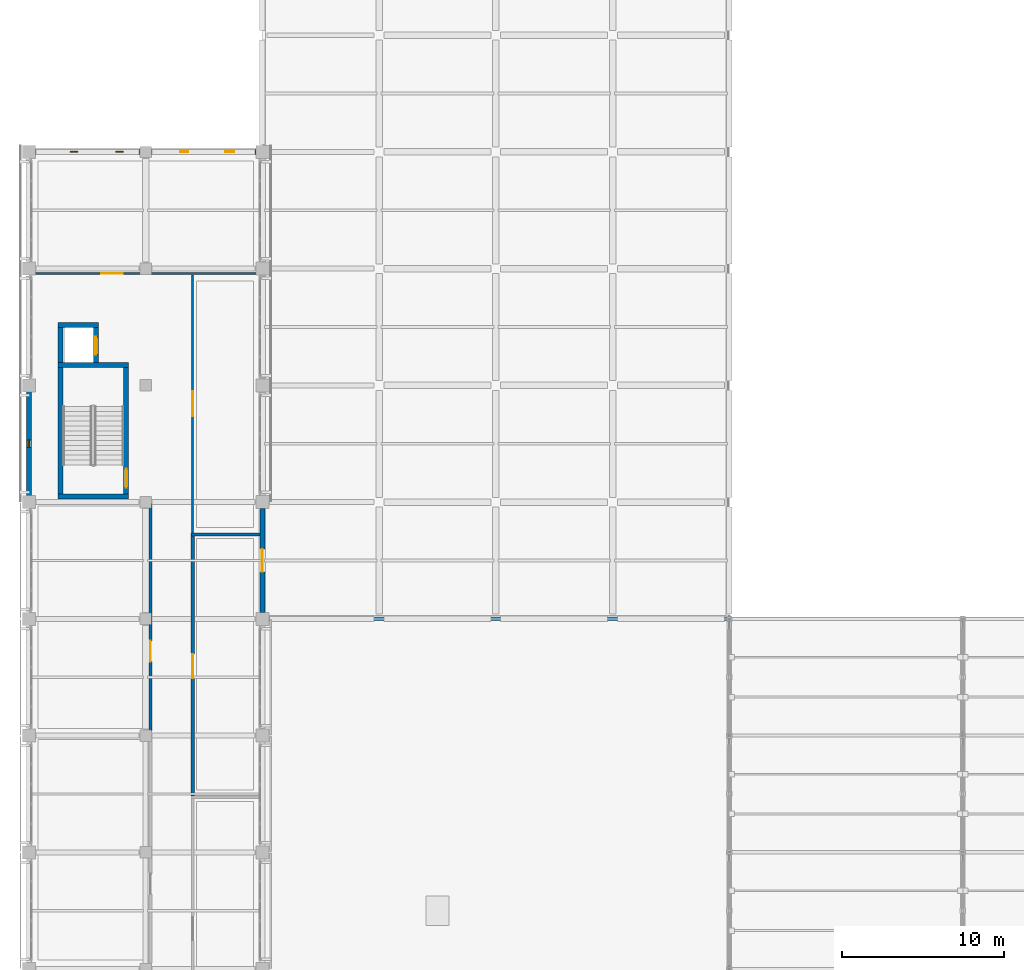
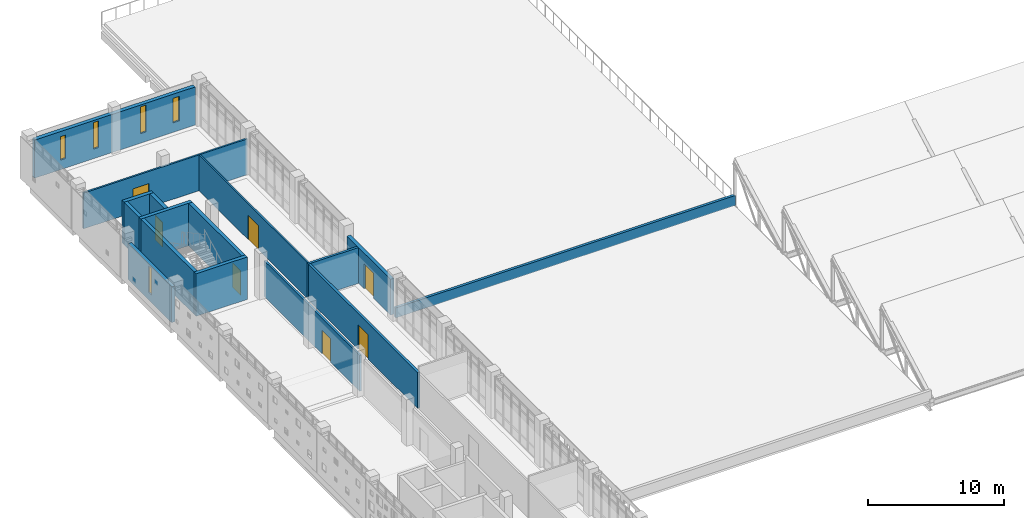
# One storey, part 36 of 51: 16 walls, 7 doors, 5 windows, 12 openings.
"""IFC4 building model written with IfcOpenShell, lengths in metres."""

from ifc_helpers import new_model, si_unit, direction, frame, frame_2d, origin, place, context, subcontext, project, spatial, rectangle, extrude, material, layer, layer_set, type_object, element, fill, save


model = new_model("IFC4")

# Units and contexts
model_context = context("Model", 3, precision=1e-05, world=origin(), true_north=direction((0.0, 1.0)))
body_context = subcontext(model_context, "Body", "Model", "MODEL_VIEW")
ifc_project = project(units=[si_unit("LENGTHUNIT", "METRE"), si_unit("AREAUNIT", "SQUARE_METRE"), si_unit("VOLUMEUNIT", "CUBIC_METRE"), si_unit("PLANEANGLEUNIT", "RADIAN"), si_unit("MASSUNIT", "GRAM", prefix="KILO")], contexts=[model_context])

# Site, building, storey
site_placement = place(None, origin())
site = spatial("IfcSite", under=ifc_project, at=site_placement, CompositionType="ELEMENT")
building_placement = place(site_placement, origin())
building = spatial("IfcBuilding", under=site, at=building_placement, Name="Valkovuoma Quantum and Materials Research Institute", CompositionType="ELEMENT")
storey_placement = place(building_placement, frame((0.0, 0.0, 17.280029296875)))
storey = spatial("IfcBuildingStorey", under=building, at=storey_placement, Name="L04", CompositionType="ELEMENT", Elevation=17.280029296875)

# Walls
ifc_material_1 = material(Name="Concrete C40/50", Category="concrete")
ifc_layer_1 = layer(ifc_material_1, 0.300048828125)
ifc_layer_set_1 = layer_set([ifc_layer_1], Name="Concrete C40/50")
wall_type_1 = type_object("IfcWallType", Name="Wall-W-COR300", PredefinedType="SHEAR", material=ifc_layer_set_1)
for number, where, z_axis, x_axis, name in (
    (1, (1.800048828125, 72.35009765625, 0.0), (0.0, 0.0, 1.0), (1.0, 0.0, 0.0), "L04 core wall 0157"),
    (2, (1.800048828125, 80.449951171875, 0.0), (0.0, 0.0, 1.0), (1.0, 0.0, 0.0), "L04 core wall 0158"),
):
    element("IfcWall", number, at=place(storey_placement, frame(where, z_axis=z_axis, x_axis=x_axis)), inside=storey, type_object=wall_type_1, Name=name, PredefinedType="SHEAR", context=body_context, shape_type="SweptSolid", body=[
        extrude(rectangle(XDim=4.349853515625, YDim=0.300048828125, at=frame_2d((2.1748046875, 0.0))), origin(), (0.0, 0.0, 1.0), 3.81005859375),
    ])
wall_1_placement = place(storey_placement, frame((1.949951171875, 72.5, 0.0), z_axis=(0.0, 0.0, 1.0), x_axis=(0.0, 1.0, 0.0)))
element("IfcWall", 3, at=wall_1_placement, inside=storey, type_object=wall_type_1, Name="L04 core wall 0159", PredefinedType="SHEAR", context=body_context, shape_type="SweptSolid", body=[
    extrude(rectangle(XDim=7.800048828125, YDim=0.300048828125, at=frame_2d((3.89990234375, 0.0))), origin(), (0.0, 0.0, 1.0), 3.81005859375),
])

# Wall, opening, door
wall_2_placement = place(storey_placement, frame((6.0, 72.5, 0.0), z_axis=(0.0, 0.0, 1.0), x_axis=(0.0, 1.0, 0.0)))
wall_2 = element("IfcWall", 4, at=wall_2_placement, inside=storey, type_object=wall_type_1, Name="L04 core wall 0160", PredefinedType="SHEAR", context=body_context, shape_type="SweptSolid", body=[
    extrude(rectangle(XDim=7.800048828125, YDim=0.300048828125, at=frame_2d((3.89990234375, 0.0))), origin(), (0.0, 0.0, 1.0), 3.81005859375),
])
opening_1_placement = place(wall_2_placement, frame((0.39990234375, 0.0, 0.0)))
opening_1 = element("IfcOpeningElement", 5, at=opening_1_placement, cuts=wall_2, Name="Opening SD-028", PredefinedType="OPENING", context=body_context, shape_type="SweptSolid", body=[
    extrude(rectangle(XDim=1.14990234375, YDim=2.199951171875, at=frame_2d((0.574951171875, 1.10009765625))), frame((0.0, 0.16015625, 0.0), z_axis=(0.0, -1.0, 0.0), x_axis=(1.0, 0.0, 0.0)), (0.0, 0.0, 1.0), 0.320068359375),
])
ifc_material_2 = material(Name="Powder-coated steel and acoustic timber door assembly", Category="steel")
door_type_1 = type_object("IfcDoorType", Name="Door-DR-ST60", OperationType="NOTDEFINED", PredefinedType="DOOR", material=ifc_material_2)
door_1_placement = place(opening_1_placement, origin())
door_1 = element("IfcDoor", 6, at=door_1_placement, inside=storey, type_object=door_type_1, Name="L04 ST-2 fire door", OperationType="SINGLE_SWING_LEFT", OverallHeight=2.199951171875, OverallWidth=1.14990234375, PredefinedType="DOOR", context=body_context, shape_type="SweptSolid", body=[
    extrude(rectangle(XDim=1.14990234375, YDim=2.199951171875, at=frame_2d((0.574951171875, 1.10009765625))), frame((0.0, 0.02490234375, 0.0), z_axis=(0.0, -1.0, 0.0), x_axis=(1.0, 0.0, 0.0)), (0.0, 0.0, 1.0), 0.050048828125),
])
fill(opening_1, door_1)

# Walls
wall_3_placement = place(storey_placement, frame((1.800048828125, 82.929931640625, 0.0), z_axis=(0.0, 0.0, 1.0), x_axis=(1.0, 0.0, 0.0)))
element("IfcWall", 7, at=wall_3_placement, inside=storey, type_object=wall_type_1, Name="L04 core wall 0161", PredefinedType="SHEAR", context=body_context, shape_type="SweptSolid", body=[
    extrude(rectangle(XDim=2.47998046875, YDim=0.300048828125, at=frame_2d((1.239990234375, 0.0))), origin(), (0.0, 0.0, 1.0), 3.81005859375),
])
wall_4_placement = place(storey_placement, frame((1.949951171875, 80.60009765625, 0.0), z_axis=(0.0, 0.0, 1.0), x_axis=(0.0, 1.0, 0.0)))
element("IfcWall", 8, at=wall_4_placement, inside=storey, type_object=wall_type_1, Name="L04 core wall 0162", PredefinedType="SHEAR", context=body_context, shape_type="SweptSolid", body=[
    extrude(rectangle(XDim=2.179931640625, YDim=0.300048828125, at=frame_2d((1.08984375, 0.0))), origin(), (0.0, 0.0, 1.0), 3.81005859375),
])

# Wall, opening, door
wall_5_placement = place(storey_placement, frame((4.1298828125, 80.60009765625, 0.0), z_axis=(0.0, 0.0, 1.0), x_axis=(0.0, 1.0, 0.0)))
wall_5 = element("IfcWall", 9, at=wall_5_placement, inside=storey, type_object=wall_type_1, Name="L04 core wall 0163", PredefinedType="SHEAR", context=body_context, shape_type="SweptSolid", body=[
    extrude(rectangle(XDim=2.179931640625, YDim=0.300048828125, at=frame_2d((1.08984375, 0.0))), origin(), (0.0, 0.0, 1.0), 3.81005859375),
])
opening_2_placement = place(wall_5_placement, frame((0.5, 0.0, 0.0)))
opening_2 = element("IfcOpeningElement", 10, at=opening_2_placement, cuts=wall_5, Name="Opening LD-028", PredefinedType="OPENING", context=body_context, shape_type="SweptSolid", body=[
    extrude(rectangle(XDim=1.10009765625, YDim=2.199951171875, at=frame_2d((0.550048828125, 1.10009765625))), frame((0.0, 0.16015625, 0.0), z_axis=(0.0, -1.0, 0.0), x_axis=(1.0, 0.0, 0.0)), (0.0, 0.0, 1.0), 0.320068359375),
])
ifc_material_3 = material(Name="Powder-coated steel and acoustic timber door assembly", Category="steel")
door_type_2 = type_object("IfcDoorType", Name="Door-DR-LD01", OperationType="NOTDEFINED", PredefinedType="DOOR", material=ifc_material_3)
door_2_placement = place(opening_2_placement, origin())
door_2 = element("IfcDoor", 11, at=door_2_placement, inside=storey, type_object=door_type_2, Name="L04 LIFT-P2 sliding landing door", OperationType="SLIDING_TO_LEFT", OverallHeight=2.199951171875, OverallWidth=1.10009765625, PredefinedType="DOOR", context=body_context, shape_type="SweptSolid", body=[
    extrude(rectangle(XDim=1.10009765625, YDim=2.199951171875, at=frame_2d((0.550048828125, 1.10009765625))), frame((0.0, 0.02490234375, 0.0), z_axis=(0.0, -1.0, 0.0), x_axis=(1.0, 0.0, 0.0)), (0.0, 0.0, 1.0), 0.050048828125),
])
fill(opening_2, door_2)

ifc_material_4 = material(Name="Precast concrete C40/50", Category="concrete")
ifc_layer_2 = layer(ifc_material_4, 0.300048828125)
ifc_layer_set_2 = layer_set([ifc_layer_2], Name="Precast concrete C40/50")
wall_type_2 = type_object("IfcWallType", Name="Wall-W-EXT300", PredefinedType="SOLIDWALL", material=ifc_layer_set_2)
wall_6_placement = place(storey_placement, frame((14.39990234375, 65.18994140625, 0.0), z_axis=(0.0, 0.0, 1.0), x_axis=(0.0, 1.0, 0.0)))
wall_6 = element("IfcWall", 12, at=wall_6_placement, inside=storey, type_object=wall_type_2, Name="L04 exterior wall 0047", PredefinedType="SOLIDWALL", context=body_context, shape_type="SweptSolid", body=[
    extrude(rectangle(XDim=6.420166015625, YDim=0.300048828125, at=frame_2d((3.2099609375, 0.0))), origin(), (0.0, 0.0, 1.0), 3.2099609375),
])
opening_3_placement = place(wall_6_placement, frame((2.510009765625, 0.0, 0.0)))
opening_3 = element("IfcOpeningElement", 13, at=opening_3_placement, cuts=wall_6, Name="Opening ED-006", PredefinedType="OPENING", context=body_context, shape_type="SweptSolid", body=[
    extrude(rectangle(XDim=1.39990234375, YDim=2.25, at=frame_2d((0.699951171875, 1.125))), frame((0.0, 0.16015625, 0.0), z_axis=(0.0, -1.0, 0.0), x_axis=(1.0, 0.0, 0.0)), (0.0, 0.0, 1.0), 0.320068359375),
])
ifc_material_5 = material(Name="Thermally broken insulated aluminium and steel door", Category="steel")
door_type_3 = type_object("IfcDoorType", Name="Door-DR-TR03", OperationType="NOTDEFINED", PredefinedType="DOOR", material=ifc_material_5)
door_3_placement = place(opening_3_placement, frame((1.39990234375, 0.0, 0.0), z_axis=(0.0, 0.0, 1.0), x_axis=(-1.0, 0.0, 0.0)))
door_3 = element("IfcDoor", 14, at=door_3_placement, inside=storey, type_object=door_type_3, Name="L04 exterior door 006", OperationType="DOUBLE_DOOR_SINGLE_SWING", OverallHeight=2.25, OverallWidth=1.39990234375, PredefinedType="DOOR", context=body_context, shape_type="SweptSolid", body=[
    extrude(rectangle(XDim=1.39990234375, YDim=2.25, at=frame_2d((0.699951171875, 1.125))), frame((0.0, 0.02490234375, 0.0), z_axis=(0.0, -1.0, 0.0), x_axis=(1.0, 0.0, 0.0)), (0.0, 0.0, 1.0), 0.050048828125),
])
fill(opening_3, door_3)

# Wall, opening, window
wall_7_placement = place(storey_placement, frame((0.0, 72.389892578125, 0.0), z_axis=(0.0, 0.0, 1.0), x_axis=(0.0, 1.0, 0.0)))
wall_7 = element("IfcWall", 15, at=wall_7_placement, inside=storey, type_object=wall_type_2, Name="L04 exterior wall 0048", PredefinedType="SOLIDWALL", context=body_context, shape_type="SweptSolid", body=[
    extrude(rectangle(XDim=6.420166015625, YDim=0.300048828125, at=frame_2d((3.2099609375, 0.0))), origin(), (0.0, 0.0, 1.0), 3.2099609375),
])
opening_4_placement = place(wall_7_placement, frame((2.985107421875, 0.0, 0.64990234375)))
opening_4 = element("IfcOpeningElement", 16, at=opening_4_placement, cuts=wall_7, Name="Opening WN-SL01", PredefinedType="OPENING", context=body_context, shape_type="SweptSolid", body=[
    extrude(rectangle(XDim=0.449951171875, YDim=2.39990234375, at=frame_2d((0.22509765625, 1.199951171875))), frame((0.0, 0.16015625, 0.0), z_axis=(0.0, -1.0, 0.0), x_axis=(1.0, 0.0, 0.0)), (0.0, 0.0, 1.0), 0.320068359375),
])
ifc_material_6 = material(Name="Triple low-E argon glazing in thermally broken aluminium frame", Category="aluminium")
window_type_1 = type_object("IfcWindowType", Name="Win-WN-SL01", PartitioningType="SINGLE_PANEL", PredefinedType="WINDOW", material=ifc_material_6)
window_1_placement = place(opening_4_placement, origin())
window_1 = element("IfcWindow", 17, at=window_1_placement, inside=storey, type_object=window_type_1, Name="L04 window 0032", OverallHeight=2.39990234375, OverallWidth=0.449951171875, PartitioningType="SINGLE_PANEL", PredefinedType="WINDOW", context=body_context, shape_type="SweptSolid", body=[
    extrude(rectangle(XDim=0.449951171875, YDim=2.39990234375, at=frame_2d((0.22509765625, 1.199951171875))), frame((0.0, 0.030029296875, 0.0), z_axis=(0.0, -1.0, 0.0), x_axis=(1.0, 0.0, 0.0)), (0.0, 0.0, 1.0), 0.06005859375),
])
fill(opening_4, window_1)

# Wall, openings, windows
ifc_material_7 = material(Name="Precast concrete C40/50", Category="concrete")
ifc_layer_3 = layer(ifc_material_7, 0.320068359375)
ifc_layer_set_3 = layer_set([ifc_layer_3], Name="Precast concrete C40/50")
wall_type_3 = type_object("IfcWallType", Name="Wall-W-EXT320", PredefinedType="SOLIDWALL", material=ifc_layer_set_3)
wall_8_placement = place(storey_placement, frame((0.389892578125, 93.60009765625, 0.0), z_axis=(0.0, 0.0, 1.0), x_axis=(1.0, 0.0, 0.0)))
wall_8 = element("IfcWall", 18, at=wall_8_placement, inside=storey, type_object=wall_type_3, Name="L04 exterior wall 0045", PredefinedType="SOLIDWALL", context=body_context, shape_type="SweptSolid", body=[
    extrude(rectangle(XDim=13.6201171875, YDim=0.320068359375, at=frame_2d((6.81005859375, 0.0))), origin(), (0.0, 0.0, 1.0), 3.419921875),
])
opening_5_placement = place(wall_8_placement, frame((2.175048828125, 0.0, 0.85009765625)))
opening_5 = element("IfcOpeningElement", 19, at=opening_5_placement, cuts=wall_8, Name="Opening WN-SL04", PredefinedType="OPENING", context=body_context, shape_type="SweptSolid", body=[
    extrude(rectangle(XDim=0.449951171875, YDim=2.10009765625, at=frame_2d((0.22509765625, 1.050048828125))), frame((0.0, 0.169921875, 0.0), z_axis=(0.0, -1.0, 0.0), x_axis=(1.0, 0.0, 0.0)), (0.0, 0.0, 1.0), 0.340087890625),
])
opening_6_placement = place(wall_8_placement, frame((4.97509765625, 0.0, 0.85009765625)))
opening_6 = element("IfcOpeningElement", 20, at=opening_6_placement, cuts=wall_8, Name="Opening WN-SL01", PredefinedType="OPENING", context=body_context, shape_type="SweptSolid", body=[
    extrude(rectangle(XDim=0.449951171875, YDim=2.39990234375, at=frame_2d((0.22509765625, 1.199951171875))), frame((0.0, 0.169921875, 0.0), z_axis=(0.0, -1.0, 0.0), x_axis=(1.0, 0.0, 0.0)), (0.0, 0.0, 1.0), 0.340087890625),
])
opening_7_placement = place(wall_8_placement, frame((8.949951171875, 0.0, 0.85009765625)))
opening_7 = element("IfcOpeningElement", 21, at=opening_7_placement, cuts=wall_8, Name="Opening WN-SL02", PredefinedType="OPENING", context=body_context, shape_type="SweptSolid", body=[
    extrude(rectangle(XDim=0.5, YDim=2.39990234375, at=frame_2d((0.25, 1.199951171875))), frame((0.0, 0.169921875, 0.0), z_axis=(0.0, -1.0, 0.0), x_axis=(1.0, 0.0, 0.0)), (0.0, 0.0, 1.0), 0.340087890625),
])
opening_8_placement = place(wall_8_placement, frame((11.72509765625, 0.0, 0.85009765625)))
opening_8 = element("IfcOpeningElement", 22, at=opening_8_placement, cuts=wall_8, Name="Opening WN-SL03", PredefinedType="OPENING", context=body_context, shape_type="SweptSolid", body=[
    extrude(rectangle(XDim=0.550048828125, YDim=2.199951171875, at=frame_2d((0.27490234375, 1.10009765625))), frame((0.0, 0.169921875, 0.0), z_axis=(0.0, -1.0, 0.0), x_axis=(1.0, 0.0, 0.0)), (0.0, 0.0, 1.0), 0.340087890625),
])
window_2_placement = place(opening_6_placement, origin())
window_2 = element("IfcWindow", 23, at=window_2_placement, inside=storey, type_object=window_type_1, Name="L04 window 0029", OverallHeight=2.39990234375, OverallWidth=0.449951171875, PartitioningType="SINGLE_PANEL", PredefinedType="WINDOW", context=body_context, shape_type="SweptSolid", body=[
    extrude(rectangle(XDim=0.449951171875, YDim=2.39990234375, at=frame_2d((0.22509765625, 1.199951171875))), frame((0.0, 0.030029296875, 0.0), z_axis=(0.0, -1.0, 0.0), x_axis=(1.0, 0.0, 0.0)), (0.0, 0.0, 1.0), 0.06005859375),
])
fill(opening_6, window_2)
ifc_material_8 = material(Name="Triple low-E argon glazing in thermally broken aluminium frame", Category="aluminium")
window_type_2 = type_object("IfcWindowType", Name="Win-WN-SL02", PartitioningType="SINGLE_PANEL", PredefinedType="WINDOW", material=ifc_material_8)
window_3_placement = place(opening_7_placement, origin())
window_3 = element("IfcWindow", 24, at=window_3_placement, inside=storey, type_object=window_type_2, Name="L04 window 0030", OverallHeight=2.39990234375, OverallWidth=0.5, PartitioningType="SINGLE_PANEL", PredefinedType="WINDOW", context=body_context, shape_type="SweptSolid", body=[
    extrude(rectangle(XDim=0.5, YDim=2.39990234375, at=frame_2d((0.25, 1.199951171875))), frame((0.0, 0.030029296875, 0.0), z_axis=(0.0, -1.0, 0.0), x_axis=(1.0, 0.0, 0.0)), (0.0, 0.0, 1.0), 0.06005859375),
])
fill(opening_7, window_3)
ifc_material_9 = material(Name="Triple low-E argon glazing in thermally broken aluminium frame", Category="aluminium")
window_type_3 = type_object("IfcWindowType", Name="Win-WN-SL03", PartitioningType="SINGLE_PANEL", PredefinedType="WINDOW", material=ifc_material_9)
window_4_placement = place(opening_8_placement, origin())
window_4 = element("IfcWindow", 25, at=window_4_placement, inside=storey, type_object=window_type_3, Name="L04 window 0031", OverallHeight=2.199951171875, OverallWidth=0.550048828125, PartitioningType="SINGLE_PANEL", PredefinedType="WINDOW", context=body_context, shape_type="SweptSolid", body=[
    extrude(rectangle(XDim=0.550048828125, YDim=2.199951171875, at=frame_2d((0.27490234375, 1.10009765625))), frame((0.0, 0.030029296875, 0.0), z_axis=(0.0, -1.0, 0.0), x_axis=(1.0, 0.0, 0.0)), (0.0, 0.0, 1.0), 0.06005859375),
])
fill(opening_8, window_4)
ifc_material_10 = material(Name="Triple low-E argon glazing in thermally broken aluminium frame", Category="aluminium")
window_type_4 = type_object("IfcWindowType", Name="Win-WN-SL04", PartitioningType="SINGLE_PANEL", PredefinedType="WINDOW", material=ifc_material_10)
window_5_placement = place(opening_5_placement, origin())
window_5 = element("IfcWindow", 26, at=window_5_placement, inside=storey, type_object=window_type_4, Name="L04 window 0028", OverallHeight=2.10009765625, OverallWidth=0.449951171875, PartitioningType="SINGLE_PANEL", PredefinedType="WINDOW", context=body_context, shape_type="SweptSolid", body=[
    extrude(rectangle(XDim=0.449951171875, YDim=2.10009765625, at=frame_2d((0.22509765625, 1.050048828125))), frame((0.0, 0.030029296875, 0.0), z_axis=(0.0, -1.0, 0.0), x_axis=(1.0, 0.0, 0.0)), (0.0, 0.0, 1.0), 0.06005859375),
])
fill(opening_5, window_5)

# Wall
ifc_material_11 = material(Name="Precast concrete C40/50", Category="concrete")
ifc_layer_4 = layer(ifc_material_11, 0.219970703125)
ifc_layer_set_4 = layer_set([ifc_layer_4], Name="Precast concrete C40/50")
wall_type_4 = type_object("IfcWallType", Name="Wall-W-PAR220", PredefinedType="PARAPET", material=ifc_layer_set_4)
wall_9_placement = place(storey_placement, frame((14.39990234375, 64.800048828125, 0.0), z_axis=(0.0, 0.0, 1.0), x_axis=(1.0, 0.0, 0.0)))
element("IfcWall", 27, at=wall_9_placement, inside=storey, type_object=wall_type_4, Name="L04 exterior wall 0438", PredefinedType="PARAPET", context=body_context, shape_type="SweptSolid", body=[
    extrude(rectangle(XDim=28.800048828125, YDim=0.219970703125, at=frame_2d((14.39990234375, 0.0))), origin(), (0.0, 0.0, 1.0), 0.89990234375),
])

# Wall, opening, door
ifc_material_12 = material(Name="Interior office stud partition", Category="masonry")
ifc_layer_5 = layer(ifc_material_12, 0.135009765625)
ifc_layer_set_5 = layer_set([ifc_layer_5], Name="Interior office stud partition")
wall_type_5 = type_object("IfcWallType", Name="Wall-W-PRT135", PredefinedType="PARTITIONING", material=ifc_layer_set_5)
wall_10_placement = place(storey_placement, frame((10.10009765625, 70.10009765625, 0.0), z_axis=(0.0, 0.0, 1.0), x_axis=(0.0, 1.0, 0.0)))
wall_10 = element("IfcWall", 28, at=wall_10_placement, inside=storey, type_object=wall_type_5, Name="L04 partition 0192", PredefinedType="PARTITIONING", context=body_context, shape_type="SweptSolid", body=[
    extrude(rectangle(XDim=15.9248046875, YDim=0.135009765625, at=frame_2d((7.96240234375, 0.0))), origin(), (0.0, 0.0, 1.0), 3.2099609375),
])
opening_9_placement = place(wall_10_placement, frame((7.197509765625, 0.0, 0.0)))
opening_9 = element("IfcOpeningElement", 29, at=opening_9_placement, cuts=wall_10, Name="Opening ID-0137", PredefinedType="OPENING", context=body_context, shape_type="SweptSolid", body=[
    extrude(rectangle(XDim=1.530029296875, YDim=2.179931640625, at=frame_2d((0.76513671875, 1.08984375))), frame((0.0, 0.07763671875, 0.0), z_axis=(0.0, -1.0, 0.0), x_axis=(1.0, 0.0, 0.0)), (0.0, 0.0, 1.0), 0.155029296875),
])
ifc_material_13 = material(Name="Powder-coated steel and acoustic timber door assembly", Category="steel")
door_type_4 = type_object("IfcDoorType", Name="Door-DR-RM13", OperationType="NOTDEFINED", PredefinedType="DOOR", material=ifc_material_13)
door_4_placement = place(opening_9_placement, origin())
door_4 = element("IfcDoor", 30, at=door_4_placement, inside=storey, type_object=door_type_4, Name="L04 room door 0137", OperationType="SINGLE_SWING_RIGHT", OverallHeight=2.179931640625, OverallWidth=1.530029296875, PredefinedType="DOOR", context=body_context, shape_type="SweptSolid", body=[
    extrude(rectangle(XDim=1.530029296875, YDim=2.179931640625, at=frame_2d((0.76513671875, 1.08984375))), frame((0.0, 0.02490234375, 0.0), z_axis=(0.0, -1.0, 0.0), x_axis=(1.0, 0.0, 0.0)), (0.0, 0.0, 1.0), 0.050048828125),
])
fill(opening_9, door_4)

ifc_material_14 = material(Name="Acoustic write-up studio partition", Category="masonry")
ifc_layer_6 = layer(ifc_material_14, 0.14990234375)
ifc_layer_set_6 = layer_set([ifc_layer_6], Name="Acoustic write-up studio partition")
wall_type_6 = type_object("IfcWallType", Name="Wall-W-PRT150", PredefinedType="PARTITIONING", material=ifc_layer_set_6)
wall_11_placement = place(storey_placement, frame((0.25, 86.10009765625, 0.0), z_axis=(0.0, 0.0, 1.0), x_axis=(1.0, 0.0, 0.0)))
wall_11 = element("IfcWall", 31, at=wall_11_placement, inside=storey, type_object=wall_type_6, Name="L04 partition 0185", PredefinedType="PARTITIONING", context=body_context, shape_type="SweptSolid", body=[
    extrude(rectangle(XDim=13.89990234375, YDim=0.14990234375, at=frame_2d((6.949951171875, 0.0))), origin(), (0.0, 0.0, 1.0), 3.2099609375),
])
opening_10_placement = place(wall_11_placement, frame((4.199951171875, 0.0, 0.0)))
opening_10 = element("IfcOpeningElement", 32, at=opening_10_placement, cuts=wall_11, Name="Opening ID-0133", PredefinedType="OPENING", context=body_context, shape_type="SweptSolid", body=[
    extrude(rectangle(XDim=1.330078125, YDim=2.1201171875, at=frame_2d((0.6650390625, 1.06005859375))), frame((0.0, 0.0849609375, 0.0), z_axis=(0.0, -1.0, 0.0), x_axis=(1.0, 0.0, 0.0)), (0.0, 0.0, 1.0), 0.169921875),
])
ifc_material_15 = material(Name="Powder-coated steel and acoustic timber door assembly", Category="steel")
door_type_5 = type_object("IfcDoorType", Name="Door-DR-RM09", OperationType="NOTDEFINED", PredefinedType="DOOR", material=ifc_material_15)
door_5_placement = place(opening_10_placement, origin())
door_5 = element("IfcDoor", 33, at=door_5_placement, inside=storey, type_object=door_type_5, Name="L04 room door 0133", OperationType="SINGLE_SWING_RIGHT", OverallHeight=2.1201171875, OverallWidth=1.330078125, PredefinedType="DOOR", context=body_context, shape_type="SweptSolid", body=[
    extrude(rectangle(XDim=1.330078125, YDim=2.1201171875, at=frame_2d((0.6650390625, 1.06005859375))), frame((0.0, 0.02490234375, 0.0), z_axis=(0.0, -1.0, 0.0), x_axis=(1.0, 0.0, 0.0)), (0.0, 0.0, 1.0), 0.050048828125),
])
fill(opening_10, door_5)

ifc_material_16 = material(Name="Laboratory fire-rated gypsum partition", Category="masonry")
ifc_layer_7 = layer(ifc_material_16, 0.179931640625)
ifc_layer_set_7 = layer_set([ifc_layer_7], Name="Laboratory fire-rated gypsum partition")
wall_type_7 = type_object("IfcWallType", Name="Wall-W-PRT180", PredefinedType="PARTITIONING", material=ifc_layer_set_7)
wall_12_placement = place(storey_placement, frame((7.5, 57.889892578125, 0.0), z_axis=(0.0, 0.0, 1.0), x_axis=(0.0, 1.0, 0.0)))
wall_12 = element("IfcWall", 34, at=wall_12_placement, inside=storey, type_object=wall_type_7, Name="L04 partition 0184", PredefinedType="PARTITIONING", context=body_context, shape_type="SweptSolid", body=[
    extrude(rectangle(XDim=14.02001953125, YDim=0.179931640625, at=frame_2d((7.010009765625, 0.0))), origin(), (0.0, 0.0, 1.0), 3.2099609375),
])
opening_11_placement = place(wall_12_placement, frame((4.26708984375, 0.0, 0.0)))
opening_11 = element("IfcOpeningElement", 35, at=opening_11_placement, cuts=wall_12, Name="Opening ID-0132", PredefinedType="OPENING", context=body_context, shape_type="SweptSolid", body=[
    extrude(rectangle(XDim=1.280029296875, YDim=2.1201171875, at=frame_2d((0.64013671875, 1.06005859375))), frame((0.0, 0.10009765625, 0.0), z_axis=(0.0, -1.0, 0.0), x_axis=(1.0, 0.0, 0.0)), (0.0, 0.0, 1.0), 0.199951171875),
])
ifc_material_17 = material(Name="Powder-coated steel and acoustic timber door assembly", Category="steel")
door_type_6 = type_object("IfcDoorType", Name="Door-DR-RM08", OperationType="NOTDEFINED", PredefinedType="DOOR", material=ifc_material_17)
door_6_placement = place(opening_11_placement, origin())
door_6 = element("IfcDoor", 36, at=door_6_placement, inside=storey, type_object=door_type_6, Name="L04 room door 0132", OperationType="SINGLE_SWING_LEFT", OverallHeight=2.1201171875, OverallWidth=1.280029296875, PredefinedType="DOOR", context=body_context, shape_type="SweptSolid", body=[
    extrude(rectangle(XDim=1.280029296875, YDim=2.1201171875, at=frame_2d((0.64013671875, 1.06005859375))), frame((0.0, 0.02490234375, 0.0), z_axis=(0.0, -1.0, 0.0), x_axis=(1.0, 0.0, 0.0)), (0.0, 0.0, 1.0), 0.050048828125),
])
fill(opening_11, door_6)

# Wall
ifc_material_18 = material(Name="Acoustic double-stud gypsum and mineral wool partition", Category="masonry")
ifc_layer_8 = layer(ifc_material_18, 0.199951171875)
ifc_layer_set_8 = layer_set([ifc_layer_8], Name="Acoustic double-stud gypsum and mineral wool partition")
wall_type_8 = type_object("IfcWallType", Name="Wall-W-PRT200", PredefinedType="PARTITIONING", material=ifc_layer_set_8)
wall_13_placement = place(storey_placement, frame((10.0, 70.0, 0.0), z_axis=(0.0, 0.0, 1.0), x_axis=(1.0, 0.0, 0.0)))
element("IfcWall", 37, at=wall_13_placement, inside=storey, type_object=wall_type_8, Name="L04 partition 0190", PredefinedType="PARTITIONING", context=body_context, shape_type="SweptSolid", body=[
    extrude(rectangle(XDim=4.25, YDim=0.199951171875, at=frame_2d((2.125, 0.0))), origin(), (0.0, 0.0, 1.0), 3.2099609375),
])

# Wall, opening, door
wall_14_placement = place(storey_placement, frame((10.10009765625, 53.875, 0.0), z_axis=(0.0, 0.0, 1.0), x_axis=(0.0, 1.0, 0.0)))
wall_14 = element("IfcWall", 38, at=wall_14_placement, inside=storey, type_object=wall_type_8, Name="L04 partition 0191", PredefinedType="PARTITIONING", context=body_context, shape_type="SweptSolid", body=[
    extrude(rectangle(XDim=16.02490234375, YDim=0.199951171875, at=frame_2d((8.012451171875, 0.0))), origin(), (0.0, 0.0, 1.0), 3.2099609375),
])
opening_12_placement = place(wall_14_placement, frame((7.2724609375, 0.0, 0.0)))
opening_12 = element("IfcOpeningElement", 39, at=opening_12_placement, cuts=wall_14, Name="Opening ID-0136", PredefinedType="OPENING", context=body_context, shape_type="SweptSolid", body=[
    extrude(rectangle(XDim=1.47998046875, YDim=2.179931640625, at=frame_2d((0.739990234375, 1.08984375))), frame((0.0, 0.10986328125, 0.0), z_axis=(0.0, -1.0, 0.0), x_axis=(1.0, 0.0, 0.0)), (0.0, 0.0, 1.0), 0.219970703125),
])
ifc_material_19 = material(Name="Powder-coated steel and acoustic timber door assembly", Category="steel")
door_type_7 = type_object("IfcDoorType", Name="Door-DR-RM12", OperationType="NOTDEFINED", PredefinedType="DOOR", material=ifc_material_19)
door_7_placement = place(opening_12_placement, origin())
door_7 = element("IfcDoor", 40, at=door_7_placement, inside=storey, type_object=door_type_7, Name="L04 room door 0136", OperationType="SINGLE_SWING_LEFT", OverallHeight=2.179931640625, OverallWidth=1.47998046875, PredefinedType="DOOR", context=body_context, shape_type="SweptSolid", body=[
    extrude(rectangle(XDim=1.47998046875, YDim=2.179931640625, at=frame_2d((0.739990234375, 1.08984375))), frame((0.0, 0.02490234375, 0.0), z_axis=(0.0, -1.0, 0.0), x_axis=(1.0, 0.0, 0.0)), (0.0, 0.0, 1.0), 0.050048828125),
])
fill(opening_12, door_7)

save(model, "model.ifc")
